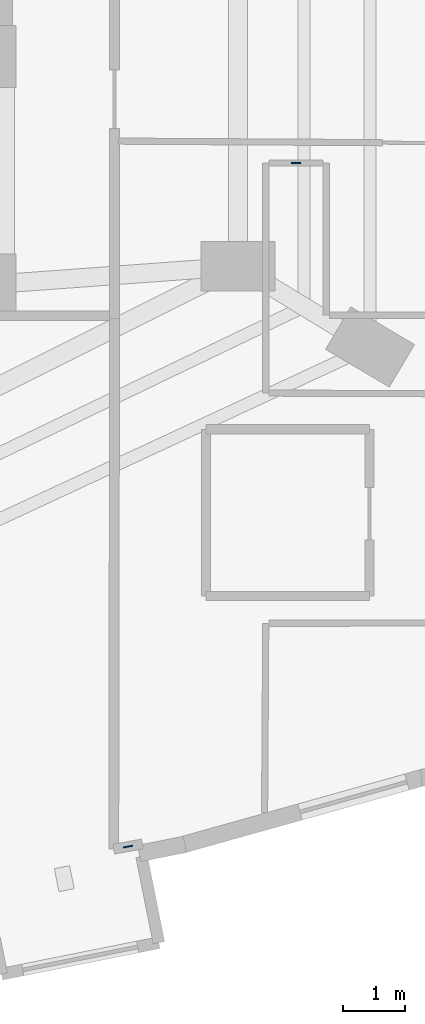
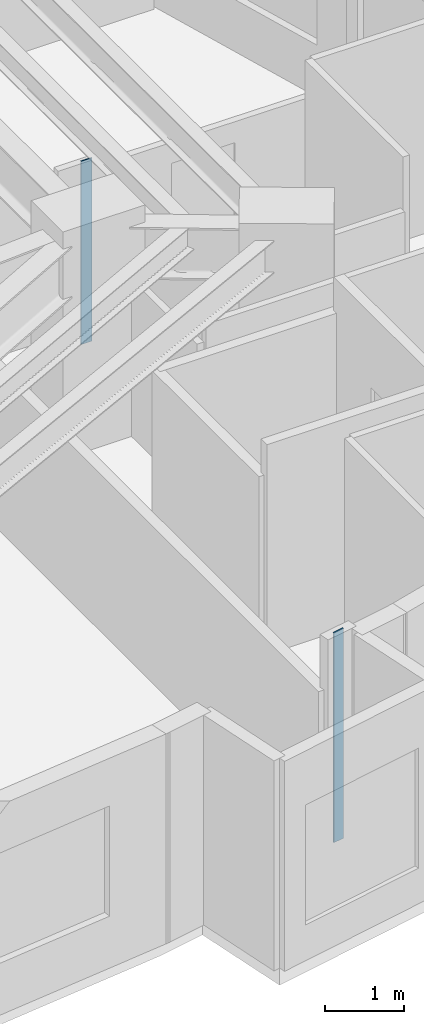
# One storey, part 4 of 11: 2 plates.
"""IFC4 building model written with IfcOpenShell, lengths in metres."""

import ifcopenshell
import ifcopenshell.guid

model = None  # the IFC model being written
_history = None  # IfcOwnerHistory: only IFC2X3 demands one
_inside = {}  # id of a spatial element -> (the spatial element, [elements in it])
_under = {}  # id of a project, library or spatial element -> (it, [spatial elements below it])
_declared = {}  # id of a project -> (the project, [libraries it declares])
_typed = {}  # id of a type object -> (the type object, [elements of that type])
_made_of = {}  # id of a material, layer set ... -> (it, [elements and type objects made of it])


def new_model(schema):
    """Start an empty IFC model of exactly this schema.

    Asked for "IFC4X3", IfcOpenShell would pick the latest addendum, in which some entities
    have other attributes; the version numbers below select the first issue.
    IFC2X3 requires an IfcOwnerHistory on every rooted entity: one is made here for all.
    """
    global model, _history
    if schema == "IFC4X3":
        model = ifcopenshell.file(schema_version=(4, 3, 0, 0))
    else:
        model = ifcopenshell.file(schema=schema)
    _inside.clear()
    _under.clear()
    _declared.clear()
    _typed.clear()
    _made_of.clear()
    _history = None
    if model.schema == "IFC2X3":
        org = make("IfcOrganization", Name="unknown")
        user = make(
            "IfcPersonAndOrganization",
            ThePerson=make("IfcPerson", FamilyName="unknown"),
            TheOrganization=org,
        )
        app = make(
            "IfcApplication",
            ApplicationDeveloper=org,
            Version="unknown",
            ApplicationFullName="unknown",
            ApplicationIdentifier="unknown",
        )
        _history = make(
            "IfcOwnerHistory",
            OwningUser=user,
            OwningApplication=app,
            ChangeAction="ADDED",
            CreationDate=0,
        )
    return model


def make(cls, **values):
    """One entity of the class cls with the attributes given. An attribute that is None is left unset."""
    return model.create_entity(
        cls, **{name: value for name, value in values.items() if value is not None}
    )


def rooted(cls, **values):
    """An entity with a GlobalId (a new one), such as an element, a storey or a relation."""
    return make(cls, GlobalId=ifcopenshell.guid.new(), OwnerHistory=_history, **values)


def si_unit(unit_type, name, prefix=None):
    """IfcSIUnit, for example si_unit("LENGTHUNIT", "METRE", prefix="MILLI")."""
    return make("IfcSIUnit", UnitType=unit_type, Prefix=prefix, Name=name)


def assignment(units):
    """IfcUnitAssignment: the units of a project."""
    return None if units is None else make("IfcUnitAssignment", Units=units)


def point(xyz):
    """IfcCartesianPoint."""
    return None if xyz is None else make("IfcCartesianPoint", Coordinates=xyz)


def direction(xyz):
    """IfcDirection."""
    return None if xyz is None else make("IfcDirection", DirectionRatios=xyz)


def frame(location, z_axis=None, x_axis=None):
    """IfcAxis2Placement3D, a coordinate frame: its origin and axes. An axis left out is left unset."""
    return make(
        "IfcAxis2Placement3D",
        Location=point(location),
        Axis=direction(z_axis),
        RefDirection=direction(x_axis),
    )


def frame_2d(location, x_axis=None):
    """IfcAxis2Placement2D, a coordinate frame in the plane: its origin and x axis."""
    return make(
        "IfcAxis2Placement2D", Location=point(location), RefDirection=direction(x_axis)
    )


def origin():
    """The frame at (0, 0, 0) with its axes left unset."""
    return frame((0.0, 0.0, 0.0))


def origin_2d():
    """The frame at (0, 0) in the plane with its x axis left unset."""
    return frame_2d((0.0, 0.0))


def place(relative_to, where):
    """IfcLocalPlacement: puts the frame where relative to a parent placement (None: the world)."""
    return make(
        "IfcLocalPlacement", PlacementRelTo=relative_to, RelativePlacement=where
    )


def context(
    kind, dimensions, precision=None, world=None, true_north=None, identifier=None
):
    """IfcGeometricRepresentationContext, for example the 3D "Model" context."""
    return make(
        "IfcGeometricRepresentationContext",
        ContextIdentifier=identifier,
        ContextType=kind,
        CoordinateSpaceDimension=dimensions,
        Precision=precision,
        WorldCoordinateSystem=world,
        TrueNorth=true_north,
    )


def subcontext(parent, identifier, kind, view, scale=None):
    """IfcGeometricRepresentationSubContext, for example "Body" below "Model"."""
    return make(
        "IfcGeometricRepresentationSubContext",
        ContextIdentifier=identifier,
        ContextType=kind,
        ParentContext=parent,
        TargetScale=scale,
        TargetView=view,
    )


def project(units=None, contexts=None):
    """IfcProject with its units and contexts."""
    return rooted(
        "IfcProject",
        Name="project",
        RepresentationContexts=contexts,
        UnitsInContext=assignment(units),
    )


def spatial(cls, under=None, at=None, **own):
    """A site, building, storey or space (cls), placed at a placement, below another one or the project."""
    s = rooted(cls, ObjectPlacement=at, **own)
    if under is not None:
        _under.setdefault(under.id(), (under, []))[1].append(s)
    return s


def profile(cls, at=None, kind="AREA", **sizes):
    """A parametric profile (cls). Its sizes go by their IFC names, for example OverallWidth=200.0."""
    return make(cls, ProfileType=kind, Position=at, **sizes)


def rectangle(**sizes):
    """IfcRectangleProfileDef."""
    return profile("IfcRectangleProfileDef", **sizes)


def extrude(swept, where, along, depth):
    """IfcExtrudedAreaSolid: the profile swept, set in the frame where, extruded along a direction by depth."""
    return make(
        "IfcExtrudedAreaSolid",
        SweptArea=swept,
        Position=where,
        ExtrudedDirection=direction(along),
        Depth=depth,
    )


def shape(context_of_items, identifier, shape_type, items):
    """IfcShapeRepresentation: the items that make up one representation, for example the "Body"."""
    return make(
        "IfcShapeRepresentation",
        ContextOfItems=context_of_items,
        RepresentationIdentifier=identifier,
        RepresentationType=shape_type,
        Items=items,
    )


def material(Name=None, Category=None):
    """IfcMaterial."""
    return make("IfcMaterial", Name=Name, Category=Category)


def layer(
    of_material, thickness, ventilated=None, Name=None, Category=None, Priority=None
):
    """IfcMaterialLayer: one layer of a wall or slab, of a material (None: an air gap)."""
    return make(
        "IfcMaterialLayer",
        Material=of_material,
        LayerThickness=thickness,
        IsVentilated=ventilated,
        Name=Name,
        Category=Category,
        Priority=Priority,
    )


def layer_set(layers, Name=None):
    """IfcMaterialLayerSet."""
    return make("IfcMaterialLayerSet", MaterialLayers=layers, LayerSetName=Name)


def made_of(thing, what):
    """Note that an element or type object is made of a material, layer set ...; save() writes the relation."""
    if what is not None:
        _made_of.setdefault(what.id(), (what, []))[1].append(thing)
    return thing


def type_object(cls, material=None, **own):
    """A type object (cls), such as IfcWallType, which elements share."""
    return made_of(rooted(cls, **own), material)


def element(
    cls,
    number,
    at=None,
    inside=None,
    cuts=None,
    type_object=None,
    material=None,
    context=None,
    identifier="Body",
    shape_type=None,
    held_by="IfcProductDefinitionShape",
    body=None,
    shapes=None,
    **own,
):
    """One element of the class cls, such as IfcWall. Its Tag is "e" and its number.

    at: its placement. inside: the storey or other place that contains it. cuts: it is an
    opening in that element (IfcRelVoidsElement). A single representation is given by context,
    identifier, shape_type and body (its items); several are given by shapes. held_by: the class
    of the entity that holds the representations. save() writes the other relations.
    """
    e = rooted(cls, Tag="e%d" % number, ObjectPlacement=at, **own)
    if body is not None:
        shapes = [shape(context, identifier, shape_type, body)]
    if shapes is not None:
        e.Representation = make(held_by, Representations=shapes)
    if inside is not None:
        _inside.setdefault(inside.id(), (inside, []))[1].append(e)
    if cuts is not None:
        rooted(
            "IfcRelVoidsElement", RelatingBuildingElement=cuts, RelatedOpeningElement=e
        )
    if type_object is not None:
        _typed.setdefault(type_object.id(), (type_object, []))[1].append(e)
    return made_of(e, material)


def aggregate(whole, parts):
    """IfcRelAggregates: a whole, such as a stair, and the parts it consists of."""
    return rooted("IfcRelAggregates", RelatingObject=whole, RelatedObjects=parts)


def save(model, path):
    """Write the relations noted so far, then the file.

    IfcRelAggregates (storeys below a building ...), IfcRelContainedInSpatialStructure (elements
    in a storey), IfcRelDefinesByType, IfcRelAssociatesMaterial and IfcRelDeclares: one each for
    every whole, place, type object, material and project.
    """
    for whole, parts in _under.values():
        aggregate(whole, parts)
    for where, things in _inside.values():
        rooted(
            "IfcRelContainedInSpatialStructure",
            RelatedElements=things,
            RelatingStructure=where,
        )
    for kind, things in _typed.values():
        rooted("IfcRelDefinesByType", RelatedObjects=things, RelatingType=kind)
    for what, things in _made_of.values():
        rooted("IfcRelAssociatesMaterial", RelatedObjects=things, RelatingMaterial=what)
    for by, libraries in _declared.values():
        rooted("IfcRelDeclares", RelatingContext=by, RelatedDefinitions=libraries)
    model.write(path)


model = new_model("IFC4")

# Units and contexts
model_context = context("Model", 3, precision=1e-05, world=origin(), true_north=direction((0.0, 1.0)))
body_context = subcontext(model_context, "Body", "Model", "MODEL_VIEW")
ifc_project = project(units=[si_unit("LENGTHUNIT", "METRE"), si_unit("AREAUNIT", "SQUARE_METRE"), si_unit("VOLUMEUNIT", "CUBIC_METRE"), si_unit("PLANEANGLEUNIT", "RADIAN"), si_unit("MASSUNIT", "GRAM", prefix="KILO")], contexts=[model_context])

# Site, building, storey
site_placement = place(None, origin())
site = spatial("IfcSite", under=ifc_project, at=site_placement, CompositionType="ELEMENT")
building_placement = place(site_placement, origin())
building = spatial("IfcBuilding", under=site, at=building_placement, Name="Miruveldt Soraemaru", CompositionType="ELEMENT")
storey_placement = place(building_placement, frame((0.0, 0.0, 159.89990234375)))
storey = spatial("IfcBuildingStorey", under=building, at=storey_placement, Name="L44", CompositionType="ELEMENT", Elevation=159.89990234375)

# Plates
ifc_material = material(Name="Anodised aluminium EN AW-6063 T6", Category="aluminium")
ifc_layer = layer(ifc_material, 0.02001953125, Name="Anodised aluminium EN AW-6063 T6", Category="aluminium")
ifc_layer_set = layer_set([ifc_layer], Name="Anodised aluminium EN AW-6063 T6")
plate_type = type_object("IfcPlateType", Name="PLT-PART-TRIM", PredefinedType="SHEET", material=ifc_layer_set)
plate_1_placement = place(storey_placement, frame((57.5400390625, 37.47607421875, 0.0), z_axis=(0.0, 0.0, 1.0), x_axis=(1.0, 0.0, 0.0)))
element("IfcPlate", 1, at=plate_1_placement, inside=storey, type_object=plate_type, Name="L44 Partition Step Corner Trim Plate 056", PredefinedType="SHEET", context=body_context, shape_type="SweptSolid", body=[
    extrude(rectangle(XDim=0.159912109375, YDim=0.02001953125, at=origin_2d()), origin(), (0.0, 0.0, 1.0), 2.822998046875),
])
plate_2_placement = place(storey_placement, frame((54.818359375, 26.399658203125, 0.0), z_axis=(0.0, 0.0, 1.0), x_axis=(0.983476816388, 0.1810341173, 0.0)))
element("IfcPlate", 2, at=plate_2_placement, inside=storey, type_object=plate_type, Name="L44 Partition Step Corner Trim Plate 001", PredefinedType="SHEET", context=body_context, shape_type="SweptSolid", body=[
    extrude(rectangle(XDim=0.159912109375, YDim=0.02001953125, at=origin_2d()), origin(), (0.0, 0.0, 1.0), 3.235107421875),
])

save(model, "model.ifc")
